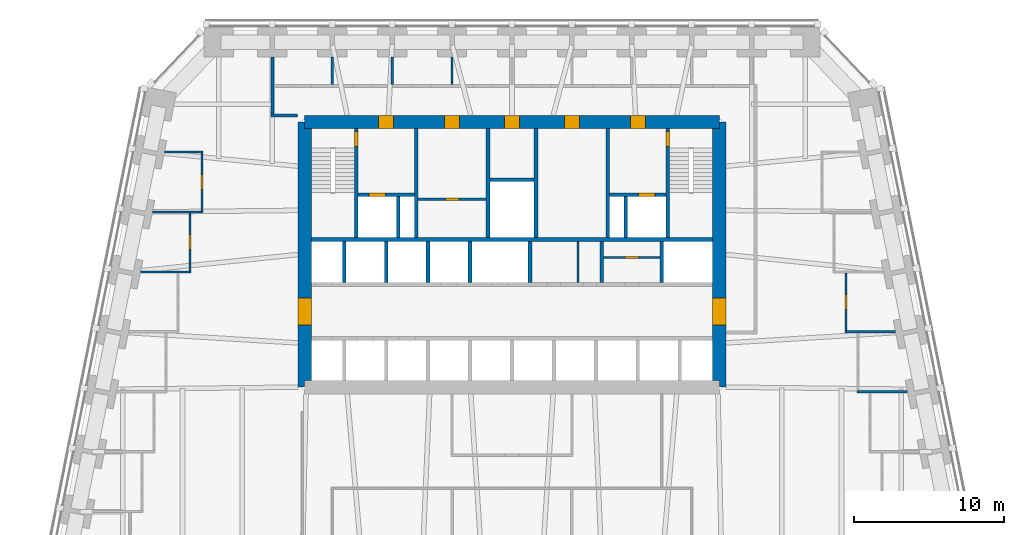
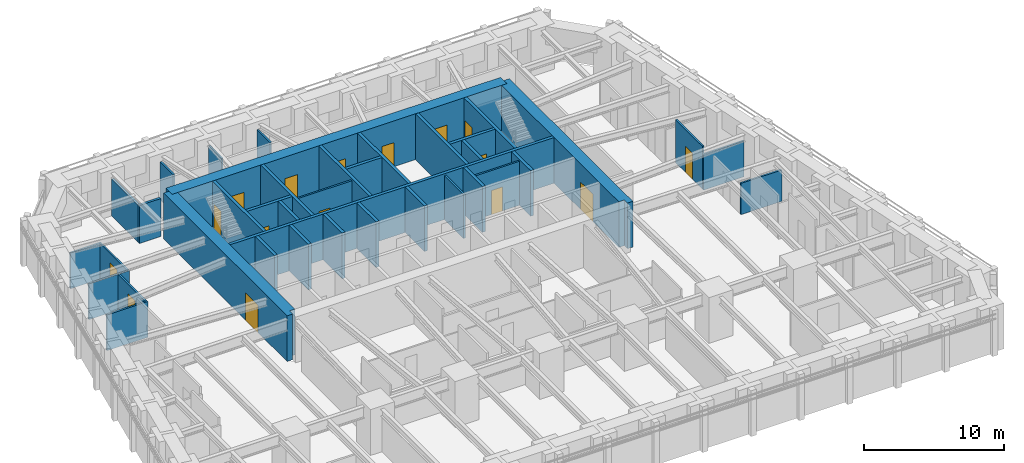
# One storey, part 7 of 10: 38 walls, 16 doors, 16 openings.
"""IFC4 building model written with IfcOpenShell, lengths in metres."""

from ifc_helpers import new_model, si_unit, direction, frame, frame_2d, origin, place, context, subcontext, project, spatial, polyline, rectangle, outline, extrude, material, layer, layer_set, type_object, element, fill, save


model = new_model("IFC4")

# Units and contexts
model_context = context("Model", 3, precision=1e-05, world=origin(), true_north=direction((0.0, 1.0)))
body_context = subcontext(model_context, "Body", "Model", "MODEL_VIEW")
ifc_project = project(units=[si_unit("LENGTHUNIT", "METRE"), si_unit("AREAUNIT", "SQUARE_METRE"), si_unit("VOLUMEUNIT", "CUBIC_METRE"), si_unit("PLANEANGLEUNIT", "RADIAN"), si_unit("MASSUNIT", "GRAM", prefix="KILO")], contexts=[model_context])

# Site, building, storey
site_placement = place(None, origin())
site = spatial("IfcSite", under=ifc_project, at=site_placement, CompositionType="ELEMENT")
building_placement = place(site_placement, origin())
building = spatial("IfcBuilding", under=site, at=building_placement, Name="Isbrekke Arena Tower", CompositionType="ELEMENT")
storey_placement = place(building_placement, frame((0.0, 0.0, 88.0)))
storey = spatial("IfcBuildingStorey", under=building, at=storey_placement, Name="L19", CompositionType="ELEMENT", Elevation=88.0)

# Wall, opening, door
ifc_material_1 = material(Name="Concrete B65 (C65/80)", Category="concrete")
ifc_layer_1 = layer(ifc_material_1, 0.89990234375)
ifc_layer_set_1 = layer_set([ifc_layer_1], Name="CW2 CORE WALL 900")
wall_type_1 = type_object("IfcWallType", Name="CW2 CORE WALL 900", PredefinedType="SHEAR", material=ifc_layer_set_1)
wall_1_placement = place(storey_placement, frame((13.85009765625, 6.14990234375, 0.0), z_axis=(0.0, 0.0, 1.0), x_axis=(0.0, 1.0, 0.0)))
wall_1 = element("IfcWall", 1, at=wall_1_placement, inside=storey, type_object=wall_type_1, Name="Core wall E L19", PredefinedType="SHEAR", context=body_context, shape_type="SweptSolid", body=[
    extrude(outline(polyline([(0.0, -0.449951171875), (17.7001953125, -0.449951171875), (17.7001953125, 0.0), (17.250244140625, 0.0), (17.250244140625, 0.449951171875), (0.449951171875, 0.449951171875), (0.449951171875, 0.0), (0.0, 0.0), (0.0, -0.449951171875)])), origin(), (0.0, 0.0, 1.0), 4.0),
])
opening_1_placement = place(wall_1_placement, frame((4.14990234375, 0.0, 0.0)))
opening_1 = element("IfcOpeningElement", 2, at=opening_1_placement, cuts=wall_1, Name="Opening D1", PredefinedType="OPENING", context=body_context, shape_type="SweptSolid", body=[
    extrude(rectangle(XDim=1.800048828125, YDim=2.39990234375, at=frame_2d((0.89990234375, 1.199951171875))), frame((0.0, 0.46484375, 0.0), z_axis=(0.0, -1.0, 0.0), x_axis=(1.0, 0.0, 0.0)), (0.0, 0.0, 1.0), 0.9296875),
])
ifc_material_2 = material(Name="Steel-framed glazed fire door", Category="steel")
door_type_1 = type_object("IfcDoorType", Name="D1 CORE LOBBY DOOR 1800 x 2400", OperationType="DOUBLE_DOOR_SINGLE_SWING", PredefinedType="DOOR", material=ifc_material_2)
door_1_placement = place(opening_1_placement, origin())
door_1 = element("IfcDoor", 3, at=door_1_placement, inside=storey, type_object=door_type_1, Name="D1 lift lobby door east L19", OperationType="DOUBLE_DOOR_SINGLE_SWING", OverallHeight=2.39990234375, OverallWidth=1.800048828125, PredefinedType="DOOR", context=body_context, shape_type="SweptSolid", body=[
    extrude(rectangle(XDim=1.800048828125, YDim=2.39990234375, at=frame_2d((0.89990234375, 1.199951171875))), frame((0.0, 0.44970703125, 0.0), z_axis=(0.0, -1.0, 0.0), x_axis=(1.0, 0.0, 0.0)), (0.0, 0.0, 1.0), 0.8994140625),
])
fill(opening_1, door_1)

# Wall, openings, doors
wall_2_placement = place(storey_placement, frame((13.85009765625, 23.85009765625, 0.0), z_axis=(0.0, 0.0, 1.0), x_axis=(-1.0, 0.0, 0.0)))
wall_2 = element("IfcWall", 4, at=wall_2_placement, inside=storey, type_object=wall_type_1, Name="Core wall N L19", PredefinedType="SHEAR", context=body_context, shape_type="SweptSolid", body=[
    extrude(rectangle(XDim=27.7001953125, YDim=0.89990234375, at=frame_2d((13.85009765625, 0.0))), origin(), (0.0, 0.0, 1.0), 4.0),
])
opening_2_placement = place(wall_2_placement, frame((21.75, 0.0, 0.0)))
opening_2 = element("IfcOpeningElement", 5, at=opening_2_placement, cuts=wall_2, Name="Opening D3", PredefinedType="OPENING", context=body_context, shape_type="SweptSolid", body=[
    extrude(rectangle(XDim=1.0, YDim=2.10009765625, at=frame_2d((0.5, 1.050048828125))), frame((0.0, 0.46484375, 0.0), z_axis=(0.0, -1.0, 0.0), x_axis=(1.0, 0.0, 0.0)), (0.0, 0.0, 1.0), 0.9296875),
])
opening_3_placement = place(wall_2_placement, frame((4.949951171875, 0.0, 0.0)))
opening_3 = element("IfcOpeningElement", 6, at=opening_3_placement, cuts=wall_2, Name="Opening D3", PredefinedType="OPENING", context=body_context, shape_type="SweptSolid", body=[
    extrude(rectangle(XDim=1.0, YDim=2.10009765625, at=frame_2d((0.5, 1.050048828125))), frame((0.0, 0.46484375, 0.0), z_axis=(0.0, -1.0, 0.0), x_axis=(1.0, 0.0, 0.0)), (0.0, 0.0, 1.0), 0.9296875),
])
opening_4_placement = place(wall_2_placement, frame((17.35009765625, 0.0, 0.0)))
opening_4 = element("IfcOpeningElement", 7, at=opening_4_placement, cuts=wall_2, Name="Opening D4", PredefinedType="OPENING", context=body_context, shape_type="SweptSolid", body=[
    extrude(rectangle(XDim=1.0, YDim=2.10009765625, at=frame_2d((0.5, 1.050048828125))), frame((0.0, 0.46484375, 0.0), z_axis=(0.0, -1.0, 0.0), x_axis=(1.0, 0.0, 0.0)), (0.0, 0.0, 1.0), 0.9296875),
])
opening_5_placement = place(wall_2_placement, frame((13.35009765625, 0.0, 0.0)))
opening_5 = element("IfcOpeningElement", 8, at=opening_5_placement, cuts=wall_2, Name="Opening D4", PredefinedType="OPENING", context=body_context, shape_type="SweptSolid", body=[
    extrude(rectangle(XDim=1.0, YDim=2.10009765625, at=frame_2d((0.5, 1.050048828125))), frame((0.0, 0.46484375, 0.0), z_axis=(0.0, -1.0, 0.0), x_axis=(1.0, 0.0, 0.0)), (0.0, 0.0, 1.0), 0.9296875),
])
opening_6_placement = place(wall_2_placement, frame((9.35009765625, 0.0, 0.0)))
opening_6 = element("IfcOpeningElement", 9, at=opening_6_placement, cuts=wall_2, Name="Opening D4", PredefinedType="OPENING", context=body_context, shape_type="SweptSolid", body=[
    extrude(rectangle(XDim=1.0, YDim=2.10009765625, at=frame_2d((0.5, 1.050048828125))), frame((0.0, 0.46484375, 0.0), z_axis=(0.0, -1.0, 0.0), x_axis=(1.0, 0.0, 0.0)), (0.0, 0.0, 1.0), 0.9296875),
])
ifc_material_3 = material(Name="Steel fire door", Category="steel")
door_type_2 = type_object("IfcDoorType", Name="D3 FIRE LOBBY DOOR 1000 x 2100", OperationType="SINGLE_SWING_RIGHT", PredefinedType="DOOR", material=ifc_material_3)
door_2_placement = place(opening_2_placement, origin())
door_2 = element("IfcDoor", 10, at=door_2_placement, inside=storey, type_object=door_type_2, Name="D3 fire-fighting lobby door L19", OperationType="SINGLE_SWING_RIGHT", OverallHeight=2.10009765625, OverallWidth=1.0, PredefinedType="DOOR", context=body_context, shape_type="SweptSolid", body=[
    extrude(rectangle(XDim=1.0, YDim=2.10009765625, at=frame_2d((0.5, 1.050048828125))), frame((0.0, 0.44970703125, 0.0), z_axis=(0.0, -1.0, 0.0), x_axis=(1.0, 0.0, 0.0)), (0.0, 0.0, 1.0), 0.8994140625),
])
fill(opening_2, door_2)
door_3_placement = place(opening_3_placement, origin())
door_3 = element("IfcDoor", 11, at=door_3_placement, inside=storey, type_object=door_type_2, Name="D3 fire-fighting lobby door L19", OperationType="SINGLE_SWING_RIGHT", OverallHeight=2.10009765625, OverallWidth=1.0, PredefinedType="DOOR", context=body_context, shape_type="SweptSolid", body=[
    extrude(rectangle(XDim=1.0, YDim=2.10009765625, at=frame_2d((0.5, 1.050048828125))), frame((0.0, 0.44970703125, 0.0), z_axis=(0.0, -1.0, 0.0), x_axis=(1.0, 0.0, 0.0)), (0.0, 0.0, 1.0), 0.8994140625),
])
fill(opening_3, door_3)
ifc_material_4 = material(Name="Timber door", Category="wood")
door_type_3 = type_object("IfcDoorType", Name="D4 WC DOOR 1000 x 2100", OperationType="SINGLE_SWING_LEFT", PredefinedType="DOOR", material=ifc_material_4)
door_4_placement = place(opening_4_placement, origin())
door_4 = element("IfcDoor", 12, at=door_4_placement, inside=storey, type_object=door_type_3, Name="D4 wc female door L19", OperationType="SINGLE_SWING_LEFT", OverallHeight=2.10009765625, OverallWidth=1.0, PredefinedType="DOOR", context=body_context, shape_type="SweptSolid", body=[
    extrude(rectangle(XDim=1.0, YDim=2.10009765625, at=frame_2d((0.5, 1.050048828125))), frame((0.0, 0.44970703125, 0.0), z_axis=(0.0, -1.0, 0.0), x_axis=(1.0, 0.0, 0.0)), (0.0, 0.0, 1.0), 0.8994140625),
])
fill(opening_4, door_4)
door_5_placement = place(opening_5_placement, origin())
door_5 = element("IfcDoor", 13, at=door_5_placement, inside=storey, type_object=door_type_3, Name="D4 accessible wc door L19", OperationType="SINGLE_SWING_LEFT", OverallHeight=2.10009765625, OverallWidth=1.0, PredefinedType="DOOR", context=body_context, shape_type="SweptSolid", body=[
    extrude(rectangle(XDim=1.0, YDim=2.10009765625, at=frame_2d((0.5, 1.050048828125))), frame((0.0, 0.44970703125, 0.0), z_axis=(0.0, -1.0, 0.0), x_axis=(1.0, 0.0, 0.0)), (0.0, 0.0, 1.0), 0.8994140625),
])
fill(opening_5, door_5)
door_6_placement = place(opening_6_placement, origin())
door_6 = element("IfcDoor", 14, at=door_6_placement, inside=storey, type_object=door_type_3, Name="D4 wc male door L19", OperationType="SINGLE_SWING_LEFT", OverallHeight=2.10009765625, OverallWidth=1.0, PredefinedType="DOOR", context=body_context, shape_type="SweptSolid", body=[
    extrude(rectangle(XDim=1.0, YDim=2.10009765625, at=frame_2d((0.5, 1.050048828125))), frame((0.0, 0.44970703125, 0.0), z_axis=(0.0, -1.0, 0.0), x_axis=(1.0, 0.0, 0.0)), (0.0, 0.0, 1.0), 0.8994140625),
])
fill(opening_6, door_6)

# Wall, opening, door
wall_3_placement = place(storey_placement, frame((-13.85009765625, 23.85009765625, 0.0), z_axis=(0.0, 0.0, 1.0), x_axis=(0.0, -1.0, 0.0)))
wall_3 = element("IfcWall", 15, at=wall_3_placement, inside=storey, type_object=wall_type_1, Name="Core wall W L19", PredefinedType="SHEAR", context=body_context, shape_type="SweptSolid", body=[
    extrude(outline(polyline([(0.0, -0.449951171875), (17.7001953125, -0.449951171875), (17.7001953125, 0.0), (17.250244140625, 0.0), (17.250244140625, 0.449951171875), (0.449951171875, 0.449951171875), (0.449951171875, 0.0), (0.0, 0.0), (0.0, -0.449951171875)])), origin(), (0.0, 0.0, 1.0), 4.0),
])
opening_7_placement = place(wall_3_placement, frame((11.75, 0.0, 0.0)))
opening_7 = element("IfcOpeningElement", 16, at=opening_7_placement, cuts=wall_3, Name="Opening D1", PredefinedType="OPENING", context=body_context, shape_type="SweptSolid", body=[
    extrude(rectangle(XDim=1.800048828125, YDim=2.39990234375, at=frame_2d((0.89990234375, 1.199951171875))), frame((0.0, 0.46484375, 0.0), z_axis=(0.0, -1.0, 0.0), x_axis=(1.0, 0.0, 0.0)), (0.0, 0.0, 1.0), 0.9296875),
])
door_7_placement = place(opening_7_placement, origin())
door_7 = element("IfcDoor", 17, at=door_7_placement, inside=storey, type_object=door_type_1, Name="D1 lift lobby door west L19", OperationType="DOUBLE_DOOR_SINGLE_SWING", OverallHeight=2.39990234375, OverallWidth=1.800048828125, PredefinedType="DOOR", context=body_context, shape_type="SweptSolid", body=[
    extrude(rectangle(XDim=1.800048828125, YDim=2.39990234375, at=frame_2d((0.89990234375, 1.199951171875))), frame((0.0, 0.44970703125, 0.0), z_axis=(0.0, -1.0, 0.0), x_axis=(1.0, 0.0, 0.0)), (0.0, 0.0, 1.0), 0.8994140625),
])
fill(opening_7, door_7)

# Walls
ifc_material_5 = material(Name="Concrete B45 (C45/55)", Category="concrete")
ifc_layer_2 = layer(ifc_material_5, 0.25)
ifc_layer_set_2 = layer_set([ifc_layer_2], Name="CW6 SHAFT WALL 250")
wall_type_2 = type_object("IfcWallType", Name="CW6 SHAFT WALL 250", PredefinedType="SHEAR", material=ifc_layer_set_2)
wall_4_placement = place(storey_placement, frame((-13.39990234375, 16.0, 0.0), z_axis=(0.0, 0.0, 1.0), x_axis=(1.0, 0.0, 0.0)))
element("IfcWall", 18, at=wall_4_placement, inside=storey, type_object=wall_type_2, Name="Core wall NB L19", PredefinedType="SHEAR", context=body_context, shape_type="SweptSolid", body=[
    extrude(rectangle(XDim=26.7998046875, YDim=0.25, at=frame_2d((13.39990234375, 0.0))), origin(), (0.0, 0.0, 1.0), 4.0),
])
for number, where, z_axis, x_axis, name in (
    (19, (-11.199951171875, 13.125, 0.0), (0.0, 0.0, 1.0), (0.0, 1.0, 0.0), "Core wall SN01 L19"),
    (20, (-8.39990234375, 13.125, 0.0), (0.0, 0.0, 1.0), (0.0, 1.0, 0.0), "Core wall SN02 L19"),
    (21, (-5.60009765625, 13.125, 0.0), (0.0, 0.0, 1.0), (0.0, 1.0, 0.0), "Core wall SN03 L19"),
    (22, (-2.800048828125, 13.125, 0.0), (0.0, 0.0, 1.0), (0.0, 1.0, 0.0), "Core wall SN04 L19"),
    (23, (1.199951171875, 13.125, 0.0), (0.0, 0.0, 1.0), (0.0, 1.0, 0.0), "Core wall SN05 L19"),
    (24, (6.0, 13.125, 0.0), (0.0, 0.0, 1.0), (0.0, 1.0, 0.0), "Core wall SN06 L19"),
    (25, (10.0, 13.125, 0.0), (0.0, 0.0, 1.0), (0.0, 1.0, 0.0), "Core wall SN07 L19"),
):
    element("IfcWall", number, at=place(storey_placement, frame(where, z_axis=z_axis, x_axis=x_axis)), inside=storey, type_object=wall_type_2, Name=name, PredefinedType="SHEAR", context=body_context, shape_type="SweptSolid", body=[
        extrude(rectangle(XDim=2.75, YDim=0.25, at=frame_2d((1.375, 0.0))), origin(), (0.0, 0.0, 1.0), 4.0),
    ])

# Wall, opening, door
wall_5_placement = place(storey_placement, frame((-10.39990234375, 16.125, 0.0), z_axis=(0.0, 0.0, 1.0), x_axis=(0.0, 1.0, 0.0)))
wall_5 = element("IfcWall", 26, at=wall_5_placement, inside=storey, type_object=wall_type_2, Name="Core wall NV01 L19", PredefinedType="SHEAR", context=body_context, shape_type="SweptSolid", body=[
    extrude(rectangle(XDim=7.27490234375, YDim=0.25, at=frame_2d((3.637451171875, 0.0))), origin(), (0.0, 0.0, 1.0), 4.0),
])
opening_8_placement = place(wall_5_placement, frame((6.074951171875, 0.0, 0.0)))
opening_8 = element("IfcOpeningElement", 27, at=opening_8_placement, cuts=wall_5, Name="Opening D2", PredefinedType="OPENING", context=body_context, shape_type="SweptSolid", body=[
    extrude(rectangle(XDim=1.0, YDim=2.10009765625, at=frame_2d((0.5, 1.050048828125))), frame((0.0, 0.139892578125, 0.0), z_axis=(0.0, -1.0, 0.0), x_axis=(1.0, 0.0, 0.0)), (0.0, 0.0, 1.0), 0.27978515625),
])
ifc_material_6 = material(Name="Steel fire door", Category="steel")
door_type_4 = type_object("IfcDoorType", Name="D2 STAIR DOOR 1000 x 2100", OperationType="SINGLE_SWING_LEFT", PredefinedType="DOOR", material=ifc_material_6)
door_8_placement = place(opening_8_placement, origin())
door_8 = element("IfcDoor", 28, at=door_8_placement, inside=storey, type_object=door_type_4, Name="D2 stair door ST1 L19", OperationType="SINGLE_SWING_LEFT", OverallHeight=2.10009765625, OverallWidth=1.0, PredefinedType="DOOR", context=body_context, shape_type="SweptSolid", body=[
    extrude(rectangle(XDim=1.0, YDim=2.10009765625, at=frame_2d((0.5, 1.050048828125))), frame((0.0, 0.124755859375, 0.0), z_axis=(0.0, -1.0, 0.0), x_axis=(1.0, 0.0, 0.0)), (0.0, 0.0, 1.0), 0.24951171875),
])
fill(opening_8, door_8)

# Walls
for number, where, z_axis, x_axis, name in (
    (29, (-6.39990234375, 16.125, 0.0), (0.0, 0.0, 1.0), (0.0, 1.0, 0.0), "Core wall NV02 L19"),
    (30, (-1.60009765625, 16.125, 0.0), (0.0, 0.0, 1.0), (0.0, 1.0, 0.0), "Core wall NV03 L19"),
    (31, (1.60009765625, 16.125, 0.0), (0.0, 0.0, 1.0), (0.0, 1.0, 0.0), "Core wall NV04 L19"),
    (32, (6.39990234375, 16.125, 0.0), (0.0, 0.0, 1.0), (0.0, 1.0, 0.0), "Core wall NV05 L19"),
):
    element("IfcWall", number, at=place(storey_placement, frame(where, z_axis=z_axis, x_axis=x_axis)), inside=storey, type_object=wall_type_2, Name=name, PredefinedType="SHEAR", context=body_context, shape_type="SweptSolid", body=[
        extrude(rectangle(XDim=7.27490234375, YDim=0.25, at=frame_2d((3.637451171875, 0.0))), origin(), (0.0, 0.0, 1.0), 4.0),
    ])

# Wall, opening, door
wall_6_placement = place(storey_placement, frame((10.39990234375, 16.125, 0.0), z_axis=(0.0, 0.0, 1.0), x_axis=(0.0, 1.0, 0.0)))
wall_6 = element("IfcWall", 33, at=wall_6_placement, inside=storey, type_object=wall_type_2, Name="Core wall NV06 L19", PredefinedType="SHEAR", context=body_context, shape_type="SweptSolid", body=[
    extrude(rectangle(XDim=7.27490234375, YDim=0.25, at=frame_2d((3.637451171875, 0.0))), origin(), (0.0, 0.0, 1.0), 4.0),
])
opening_9_placement = place(wall_6_placement, frame((6.074951171875, 0.0, 0.0)))
opening_9 = element("IfcOpeningElement", 34, at=opening_9_placement, cuts=wall_6, Name="Opening D2", PredefinedType="OPENING", context=body_context, shape_type="SweptSolid", body=[
    extrude(rectangle(XDim=1.0, YDim=2.10009765625, at=frame_2d((0.5, 1.050048828125))), frame((0.0, 0.139892578125, 0.0), z_axis=(0.0, -1.0, 0.0), x_axis=(1.0, 0.0, 0.0)), (0.0, 0.0, 1.0), 0.27978515625),
])
door_9_placement = place(opening_9_placement, origin())
door_9 = element("IfcDoor", 35, at=door_9_placement, inside=storey, type_object=door_type_4, Name="D2 stair door ST2 L19", OperationType="SINGLE_SWING_LEFT", OverallHeight=2.10009765625, OverallWidth=1.0, PredefinedType="DOOR", context=body_context, shape_type="SweptSolid", body=[
    extrude(rectangle(XDim=1.0, YDim=2.10009765625, at=frame_2d((0.5, 1.050048828125))), frame((0.0, 0.124755859375, 0.0), z_axis=(0.0, -1.0, 0.0), x_axis=(1.0, 0.0, 0.0)), (0.0, 0.0, 1.0), 0.24951171875),
])
fill(opening_9, door_9)

wall_7_placement = place(storey_placement, frame((-10.27490234375, 19.0, 0.0), z_axis=(0.0, 0.0, 1.0), x_axis=(1.0, 0.0, 0.0)))
wall_7 = element("IfcWall", 36, at=wall_7_placement, inside=storey, type_object=wall_type_2, Name="Core wall NFW L19", PredefinedType="SHEAR", context=body_context, shape_type="SweptSolid", body=[
    extrude(rectangle(XDim=3.75, YDim=0.25, at=frame_2d((1.875, 0.0))), origin(), (0.0, 0.0, 1.0), 4.0),
])
opening_10_placement = place(wall_7_placement, frame((0.72509765625, 0.0, 0.0)))
opening_10 = element("IfcOpeningElement", 37, at=opening_10_placement, cuts=wall_7, Name="Opening LD2", PredefinedType="OPENING", context=body_context, shape_type="SweptSolid", body=[
    extrude(rectangle(XDim=1.10009765625, YDim=2.10009765625, at=frame_2d((0.550048828125, 1.050048828125))), frame((0.0, 0.139892578125, 0.0), z_axis=(0.0, -1.0, 0.0), x_axis=(1.0, 0.0, 0.0)), (0.0, 0.0, 1.0), 0.27978515625),
])
ifc_material_7 = material(Name="Stainless steel lift landing door", Category="steel")
door_type_5 = type_object("IfcDoorType", Name="LD2 FIRE-FIGHTING LIFT LANDING DOOR 1100 x 2100", OperationType="SLIDING_TO_RIGHT", PredefinedType="DOOR", material=ifc_material_7)
door_10_placement = place(opening_10_placement, origin())
door_10 = element("IfcDoor", 38, at=door_10_placement, inside=storey, type_object=door_type_5, Name="LD2 lift landing door LF L19", OperationType="SLIDING_TO_RIGHT", OverallHeight=2.10009765625, OverallWidth=1.10009765625, PredefinedType="DOOR", context=body_context, shape_type="SweptSolid", body=[
    extrude(rectangle(XDim=1.10009765625, YDim=2.10009765625, at=frame_2d((0.550048828125, 1.050048828125))), frame((0.0, 0.124755859375, 0.0), z_axis=(0.0, -1.0, 0.0), x_axis=(1.0, 0.0, 0.0)), (0.0, 0.0, 1.0), 0.24951171875),
])
fill(opening_10, door_10)

wall_8_placement = place(storey_placement, frame((6.52490234375, 19.0, 0.0), z_axis=(0.0, 0.0, 1.0), x_axis=(1.0, 0.0, 0.0)))
wall_8 = element("IfcWall", 39, at=wall_8_placement, inside=storey, type_object=wall_type_2, Name="Core wall NFE L19", PredefinedType="SHEAR", context=body_context, shape_type="SweptSolid", body=[
    extrude(rectangle(XDim=3.75, YDim=0.25, at=frame_2d((1.875, 0.0))), origin(), (0.0, 0.0, 1.0), 4.0),
])
opening_11_placement = place(wall_8_placement, frame((1.925048828125, 0.0, 0.0)))
opening_11 = element("IfcOpeningElement", 40, at=opening_11_placement, cuts=wall_8, Name="Opening LD2", PredefinedType="OPENING", context=body_context, shape_type="SweptSolid", body=[
    extrude(rectangle(XDim=1.10009765625, YDim=2.10009765625, at=frame_2d((0.550048828125, 1.050048828125))), frame((0.0, 0.139892578125, 0.0), z_axis=(0.0, -1.0, 0.0), x_axis=(1.0, 0.0, 0.0)), (0.0, 0.0, 1.0), 0.27978515625),
])
door_11_placement = place(opening_11_placement, origin())
door_11 = element("IfcDoor", 41, at=door_11_placement, inside=storey, type_object=door_type_5, Name="LD2 lift landing door LF L19", OperationType="SLIDING_TO_RIGHT", OverallHeight=2.10009765625, OverallWidth=1.10009765625, PredefinedType="DOOR", context=body_context, shape_type="SweptSolid", body=[
    extrude(rectangle(XDim=1.10009765625, YDim=2.10009765625, at=frame_2d((0.550048828125, 1.050048828125))), frame((0.0, 0.124755859375, 0.0), z_axis=(0.0, -1.0, 0.0), x_axis=(1.0, 0.0, 0.0)), (0.0, 0.0, 1.0), 0.24951171875),
])
fill(opening_11, door_11)

# Walls
for number, where, z_axis, x_axis, name in (
    (42, (-7.60009765625, 16.125, 0.0), (0.0, 0.0, 1.0), (0.0, 1.0, 0.0), "Core wall NFS1 L19"),
    (43, (7.60009765625, 16.125, 0.0), (0.0, 0.0, 1.0), (0.0, 1.0, 0.0), "Core wall NFS2 L19"),
):
    element("IfcWall", number, at=place(storey_placement, frame(where, z_axis=z_axis, x_axis=x_axis)), inside=storey, type_object=wall_type_2, Name=name, PredefinedType="SHEAR", context=body_context, shape_type="SweptSolid", body=[
        extrude(rectangle(XDim=2.75, YDim=0.25, at=frame_2d((1.375, 0.0))), origin(), (0.0, 0.0, 1.0), 4.0),
    ])
wall_9_placement = place(storey_placement, frame((-1.47509765625, 20.0, 0.0), z_axis=(0.0, 0.0, 1.0), x_axis=(1.0, 0.0, 0.0)))
element("IfcWall", 44, at=wall_9_placement, inside=storey, type_object=wall_type_2, Name="Core wall NWC L19", PredefinedType="SHEAR", context=body_context, shape_type="SweptSolid", body=[
    extrude(rectangle(XDim=2.9501953125, YDim=0.25, at=frame_2d((1.47509765625, 0.0))), origin(), (0.0, 0.0, 1.0), 4.0),
])
ifc_material_8 = material(Name="Gypsum board partition on steel studs", Category="steel")
ifc_layer_3 = layer(ifc_material_8, 0.14990234375)
ifc_layer_set_3 = layer_set([ifc_layer_3], Name="IW1 PARTITION 150")
wall_type_3 = type_object("IfcWallType", Name="IW1 PARTITION 150", PredefinedType="PARTITIONING", material=ifc_layer_set_3)
wall_10_placement = place(storey_placement, frame((23.02490234375, 5.840087890625, 0.0), z_axis=(0.0, 0.0, 1.0), x_axis=(1.0, 0.0, 0.0)))
element("IfcWall", 45, at=wall_10_placement, inside=storey, type_object=wall_type_3, Name="IW1 partition 150 L19", PredefinedType="PARTITIONING", context=body_context, shape_type="SweptSolid", body=[
    extrude(rectangle(XDim=3.37158203125, YDim=0.14990234375, at=frame_2d((1.685791015625, 0.0))), origin(), (0.0, 0.0, 1.0), 2.741943359375),
])
for number, where, z_axis, x_axis, name in (
    (46, (22.22509765625, 9.840087890625, 0.0), (0.0, 0.0, 1.0), (1.0, 0.0, 0.0), "IW1 partition 150 L19"),
    (47, (-24.79638671875, 13.840087890625, 0.0), (0.0, 0.0, 1.0), (1.0, 0.0, 0.0), "IW1 partition 150 L19"),
    (48, (-23.996337890625, 17.840087890625, 0.0), (0.0, 0.0, 1.0), (1.0, 0.0, 0.0), "IW1 partition 150 L19"),
):
    element("IfcWall", number, at=place(storey_placement, frame(where, z_axis=z_axis, x_axis=x_axis)), inside=storey, type_object=wall_type_3, Name=name, PredefinedType="PARTITIONING", context=body_context, shape_type="SweptSolid", body=[
        extrude(rectangle(XDim=3.371337890625, YDim=0.14990234375, at=frame_2d((1.685546875, 0.0))), origin(), (0.0, 0.0, 1.0), 3.1298828125),
    ])
wall_11_placement = place(storey_placement, frame((-23.1962890625, 21.840087890625, 0.0), z_axis=(0.0, 0.0, 1.0), x_axis=(1.0, 0.0, 0.0)))
element("IfcWall", 49, at=wall_11_placement, inside=storey, type_object=wall_type_3, Name="IW1 partition 150 L19", PredefinedType="PARTITIONING", context=body_context, shape_type="SweptSolid", body=[
    extrude(rectangle(XDim=2.5712890625, YDim=0.14990234375, at=frame_2d((1.28564453125, 0.0))), origin(), (0.0, 0.0, 1.0), 3.1298828125),
])

# Wall, opening, door
wall_12_placement = place(storey_placement, frame((-21.5, 13.9150390625, 0.0), z_axis=(0.0, 0.0, 1.0), x_axis=(0.0, 1.0, 0.0)))
wall_12 = element("IfcWall", 50, at=wall_12_placement, inside=storey, type_object=wall_type_3, Name="IW1 partition 150 L19", PredefinedType="PARTITIONING", context=body_context, shape_type="SweptSolid", body=[
    extrude(rectangle(XDim=3.849853515625, YDim=0.14990234375, at=frame_2d((1.9248046875, 0.0))), origin(), (0.0, 0.0, 1.0), 3.1298828125),
])
opening_12_placement = place(wall_12_placement, frame((1.425048828125, 0.0, 0.0)))
opening_12 = element("IfcOpeningElement", 51, at=opening_12_placement, cuts=wall_12, Name="Opening D10", PredefinedType="OPENING", context=body_context, shape_type="SweptSolid", body=[
    extrude(rectangle(XDim=1.0, YDim=2.300048828125, at=frame_2d((0.5, 1.14990234375))), frame((0.0, 0.08984375, 0.0), z_axis=(0.0, -1.0, 0.0), x_axis=(1.0, 0.0, 0.0)), (0.0, 0.0, 1.0), 0.1796875),
])
ifc_material_9 = material(Name="Timber door", Category="wood")
door_type_6 = type_object("IfcDoorType", Name="D10 OFFICE DOOR 1000 x 2300", OperationType="SINGLE_SWING_LEFT", PredefinedType="DOOR", material=ifc_material_9)
door_12_placement = place(opening_12_placement, origin())
door_12 = element("IfcDoor", 52, at=door_12_placement, inside=storey, type_object=door_type_6, Name="D10 office door L19", OperationType="SINGLE_SWING_LEFT", OverallHeight=2.300048828125, OverallWidth=1.0, PredefinedType="DOOR", context=body_context, shape_type="SweptSolid", body=[
    extrude(rectangle(XDim=1.0, YDim=2.300048828125, at=frame_2d((0.5, 1.14990234375))), frame((0.0, 0.07470703125, 0.0), z_axis=(0.0, -1.0, 0.0), x_axis=(1.0, 0.0, 0.0)), (0.0, 0.0, 1.0), 0.1494140625),
])
fill(opening_12, door_12)

wall_13_placement = place(storey_placement, frame((-20.699951171875, 17.9150390625, 0.0), z_axis=(0.0, 0.0, 1.0), x_axis=(0.0, 1.0, 0.0)))
wall_13 = element("IfcWall", 53, at=wall_13_placement, inside=storey, type_object=wall_type_3, Name="IW1 partition 150 L19", PredefinedType="PARTITIONING", context=body_context, shape_type="SweptSolid", body=[
    extrude(rectangle(XDim=3.849853515625, YDim=0.14990234375, at=frame_2d((1.9248046875, 0.0))), origin(), (0.0, 0.0, 1.0), 3.1298828125),
])
opening_13_placement = place(wall_13_placement, frame((1.425048828125, 0.0, 0.0)))
opening_13 = element("IfcOpeningElement", 54, at=opening_13_placement, cuts=wall_13, Name="Opening D10", PredefinedType="OPENING", context=body_context, shape_type="SweptSolid", body=[
    extrude(rectangle(XDim=1.0, YDim=2.300048828125, at=frame_2d((0.5, 1.14990234375))), frame((0.0, 0.08984375, 0.0), z_axis=(0.0, -1.0, 0.0), x_axis=(1.0, 0.0, 0.0)), (0.0, 0.0, 1.0), 0.1796875),
])
door_13_placement = place(opening_13_placement, origin())
door_13 = element("IfcDoor", 55, at=door_13_placement, inside=storey, type_object=door_type_6, Name="D10 office door L19", OperationType="SINGLE_SWING_LEFT", OverallHeight=2.300048828125, OverallWidth=1.0, PredefinedType="DOOR", context=body_context, shape_type="SweptSolid", body=[
    extrude(rectangle(XDim=1.0, YDim=2.300048828125, at=frame_2d((0.5, 1.14990234375))), frame((0.0, 0.07470703125, 0.0), z_axis=(0.0, -1.0, 0.0), x_axis=(1.0, 0.0, 0.0)), (0.0, 0.0, 1.0), 0.1494140625),
])
fill(opening_13, door_13)

# Walls
for number, where, z_axis, x_axis, name in (
    (56, (-12.0, 26.35009765625, 0.0), (0.0, 0.0, 1.0), (0.0, 1.0, 0.0), "IW1 partition 150 L19"),
    (57, (-8.0, 26.35009765625, 0.0), (0.0, 0.0, 1.0), (0.0, 1.0, 0.0), "IW1 partition 150 L19"),
    (58, (-4.0, 26.35009765625, 0.0), (0.0, 0.0, 1.0), (0.0, 1.0, 0.0), "IW1 partition 150 L19"),
):
    element("IfcWall", number, at=place(storey_placement, frame(where, z_axis=z_axis, x_axis=x_axis)), inside=storey, type_object=wall_type_3, Name=name, PredefinedType="PARTITIONING", context=body_context, shape_type="SweptSolid", body=[
        extrude(rectangle(XDim=1.849853515625, YDim=0.14990234375, at=frame_2d((0.9248046875, 0.0))), origin(), (0.0, 0.0, 1.0), 3.318115234375),
    ])

# Wall, opening, door
wall_14_placement = place(storey_placement, frame((22.300048828125, 9.9150390625, 0.0), z_axis=(0.0, 0.0, 1.0), x_axis=(0.0, 1.0, 0.0)))
wall_14 = element("IfcWall", 59, at=wall_14_placement, inside=storey, type_object=wall_type_3, Name="IW1 partition 150 L19", PredefinedType="PARTITIONING", context=body_context, shape_type="SweptSolid", body=[
    extrude(rectangle(XDim=3.849853515625, YDim=0.14990234375, at=frame_2d((1.9248046875, 0.0))), origin(), (0.0, 0.0, 1.0), 3.75),
])
opening_14_placement = place(wall_14_placement, frame((1.425048828125, 0.0, 0.0)))
opening_14 = element("IfcOpeningElement", 60, at=opening_14_placement, cuts=wall_14, Name="Opening D10", PredefinedType="OPENING", context=body_context, shape_type="SweptSolid", body=[
    extrude(rectangle(XDim=1.0, YDim=2.300048828125, at=frame_2d((0.5, 1.14990234375))), frame((0.0, 0.08984375, 0.0), z_axis=(0.0, -1.0, 0.0), x_axis=(1.0, 0.0, 0.0)), (0.0, 0.0, 1.0), 0.1796875),
])
door_14_placement = place(opening_14_placement, origin())
door_14 = element("IfcDoor", 61, at=door_14_placement, inside=storey, type_object=door_type_6, Name="D10 office door L19", OperationType="SINGLE_SWING_LEFT", OverallHeight=2.300048828125, OverallWidth=1.0, PredefinedType="DOOR", context=body_context, shape_type="SweptSolid", body=[
    extrude(rectangle(XDim=1.0, YDim=2.300048828125, at=frame_2d((0.5, 1.14990234375))), frame((0.0, 0.07470703125, 0.0), z_axis=(0.0, -1.0, 0.0), x_axis=(1.0, 0.0, 0.0)), (0.0, 0.0, 1.0), 0.1494140625),
])
fill(opening_14, door_14)

# Walls
ifc_material_10 = material(Name="Gypsum board fire-cell wall on steel studs, two layers each side", Category="steel")
ifc_layer_4 = layer(ifc_material_10, 0.199951171875)
ifc_layer_set_4 = layer_set([ifc_layer_4], Name="IW3 FIRE-CELL WALL 200")
wall_type_4 = type_object("IfcWallType", Name="IW3 FIRE-CELL WALL 200", PredefinedType="PARTITIONING", material=ifc_layer_set_4)
wall_15_placement = place(storey_placement, frame((-16.10009765625, 24.300048828125, 0.0), z_axis=(0.0, 0.0, 1.0), x_axis=(1.0, 0.0, 0.0)))
element("IfcWall", 62, at=wall_15_placement, inside=storey, type_object=wall_type_4, Name="IW3 fire-cell wall 200 L19", PredefinedType="PARTITIONING", context=body_context, shape_type="SweptSolid", body=[
    extrude(rectangle(XDim=1.77001953125, YDim=0.199951171875, at=frame_2d((0.885009765625, 0.0))), origin(), (0.0, 0.0, 1.0), 3.318115234375),
])
wall_16_placement = place(storey_placement, frame((-16.0, 24.39990234375, 0.0), z_axis=(0.0, 0.0, 1.0), x_axis=(0.0, 1.0, 0.0)))
element("IfcWall", 63, at=wall_16_placement, inside=storey, type_object=wall_type_4, Name="IW3 fire-cell wall 200 L19", PredefinedType="PARTITIONING", context=body_context, shape_type="SweptSolid", body=[
    extrude(rectangle(XDim=3.800048828125, YDim=0.199951171875, at=frame_2d((1.89990234375, 0.0))), origin(), (0.0, 0.0, 1.0), 3.22607421875),
])

# Wall, opening, door
ifc_material_11 = material(Name="Gypsum board fire-rated partition on steel studs, two layers each side", Category="steel")
ifc_layer_5 = layer(ifc_material_11, 0.14990234375)
ifc_layer_set_5 = layer_set([ifc_layer_5], Name="IW5 FIRE-RATED PARTITION 150")
wall_type_5 = type_object("IfcWallType", Name="IW5 FIRE-RATED PARTITION 150", PredefinedType="PARTITIONING", material=ifc_layer_set_5)
wall_17_placement = place(storey_placement, frame((-6.27490234375, 18.699951171875, 0.0), z_axis=(0.0, 0.0, 1.0), x_axis=(1.0, 0.0, 0.0)))
wall_17 = element("IfcWall", 64, at=wall_17_placement, inside=storey, type_object=wall_type_5, Name="IW5 fire-rated partition L19 cleaner's store F", PredefinedType="PARTITIONING", context=body_context, shape_type="SweptSolid", body=[
    extrude(rectangle(XDim=4.5498046875, YDim=0.14990234375, at=frame_2d((2.27490234375, 0.0))), origin(), (0.0, 0.0, 1.0), 3.85009765625),
])
opening_15_placement = place(wall_17_placement, frame((1.824951171875, 0.0, 0.0)))
opening_15 = element("IfcOpeningElement", 65, at=opening_15_placement, cuts=wall_17, Name="Opening D5", PredefinedType="OPENING", context=body_context, shape_type="SweptSolid", body=[
    extrude(rectangle(XDim=0.89990234375, YDim=2.10009765625, at=frame_2d((0.449951171875, 1.050048828125))), frame((0.0, 0.08984375, 0.0), z_axis=(0.0, -1.0, 0.0), x_axis=(1.0, 0.0, 0.0)), (0.0, 0.0, 1.0), 0.1796875),
])
ifc_material_12 = material(Name="Steel fire door", Category="steel")
door_type_7 = type_object("IfcDoorType", Name="D5 SERVICE DOOR 900 x 2100", OperationType="SINGLE_SWING_LEFT", PredefinedType="DOOR", material=ifc_material_12)
door_15_placement = place(opening_15_placement, origin())
door_15 = element("IfcDoor", 66, at=door_15_placement, inside=storey, type_object=door_type_7, Name="D5 cleaner's store door L19", OperationType="SINGLE_SWING_LEFT", OverallHeight=2.10009765625, OverallWidth=0.89990234375, PredefinedType="DOOR", context=body_context, shape_type="SweptSolid", body=[
    extrude(rectangle(XDim=0.89990234375, YDim=2.10009765625, at=frame_2d((0.449951171875, 1.050048828125))), frame((0.0, 0.07470703125, 0.0), z_axis=(0.0, -1.0, 0.0), x_axis=(1.0, 0.0, 0.0)), (0.0, 0.0, 1.0), 0.1494140625),
])
fill(opening_15, door_15)

# Wall
wall_18_placement = place(storey_placement, frame((4.39990234375, 13.125, 0.0), z_axis=(0.0, 0.0, 1.0), x_axis=(0.0, 1.0, 0.0)))
element("IfcWall", 67, at=wall_18_placement, inside=storey, type_object=wall_type_5, Name="IW5 fire-rated partition L19 core service rooms 1", PredefinedType="PARTITIONING", context=body_context, shape_type="SweptSolid", body=[
    extrude(rectangle(XDim=2.75, YDim=0.14990234375, at=frame_2d((1.375, 0.0))), origin(), (0.0, 0.0, 1.0), 3.85009765625),
])

# Wall, opening, door
wall_19_placement = place(storey_placement, frame((6.125, 14.800048828125, 0.0), z_axis=(0.0, 0.0, 1.0), x_axis=(1.0, 0.0, 0.0)))
wall_19 = element("IfcWall", 68, at=wall_19_placement, inside=storey, type_object=wall_type_5, Name="IW5 fire-rated partition L19 core service rooms 2", PredefinedType="PARTITIONING", context=body_context, shape_type="SweptSolid", body=[
    extrude(rectangle(XDim=3.75, YDim=0.14990234375, at=frame_2d((1.875, 0.0))), origin(), (0.0, 0.0, 1.0), 3.85009765625),
])
opening_16_placement = place(wall_19_placement, frame((1.425048828125, 0.0, 0.0)))
opening_16 = element("IfcOpeningElement", 69, at=opening_16_placement, cuts=wall_19, Name="Opening D5", PredefinedType="OPENING", context=body_context, shape_type="SweptSolid", body=[
    extrude(rectangle(XDim=0.89990234375, YDim=2.10009765625, at=frame_2d((0.449951171875, 1.050048828125))), frame((0.0, 0.08984375, 0.0), z_axis=(0.0, -1.0, 0.0), x_axis=(1.0, 0.0, 0.0)), (0.0, 0.0, 1.0), 0.1796875),
])
door_16_placement = place(opening_16_placement, origin())
door_16 = element("IfcDoor", 70, at=door_16_placement, inside=storey, type_object=door_type_7, Name="D5 technical room door L19", OperationType="SINGLE_SWING_LEFT", OverallHeight=2.10009765625, OverallWidth=0.89990234375, PredefinedType="DOOR", context=body_context, shape_type="SweptSolid", body=[
    extrude(rectangle(XDim=0.89990234375, YDim=2.10009765625, at=frame_2d((0.449951171875, 1.050048828125))), frame((0.0, 0.07470703125, 0.0), z_axis=(0.0, -1.0, 0.0), x_axis=(1.0, 0.0, 0.0)), (0.0, 0.0, 1.0), 0.1494140625),
])
fill(opening_16, door_16)

save(model, "model.ifc")
